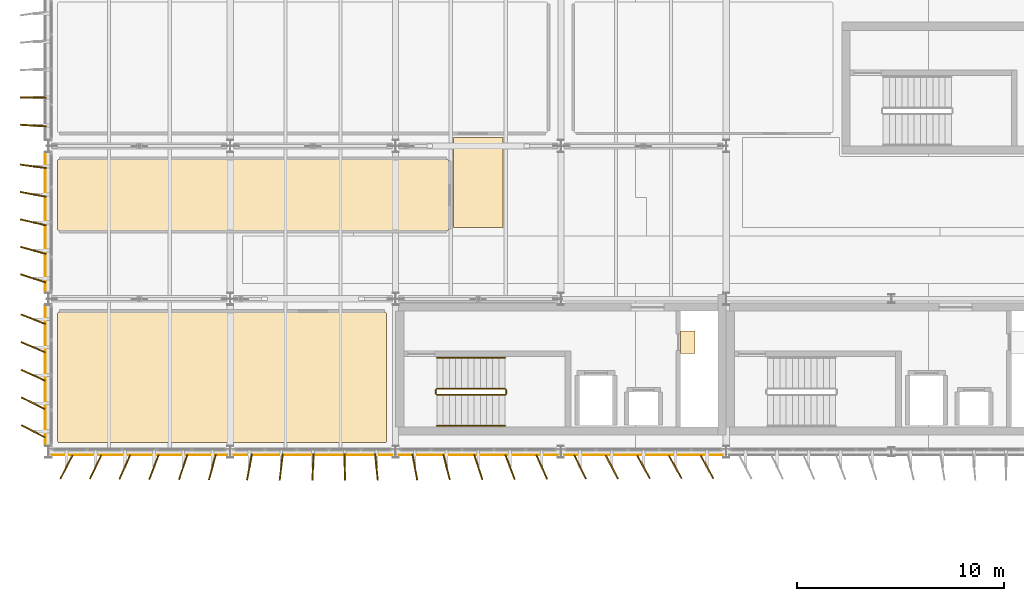
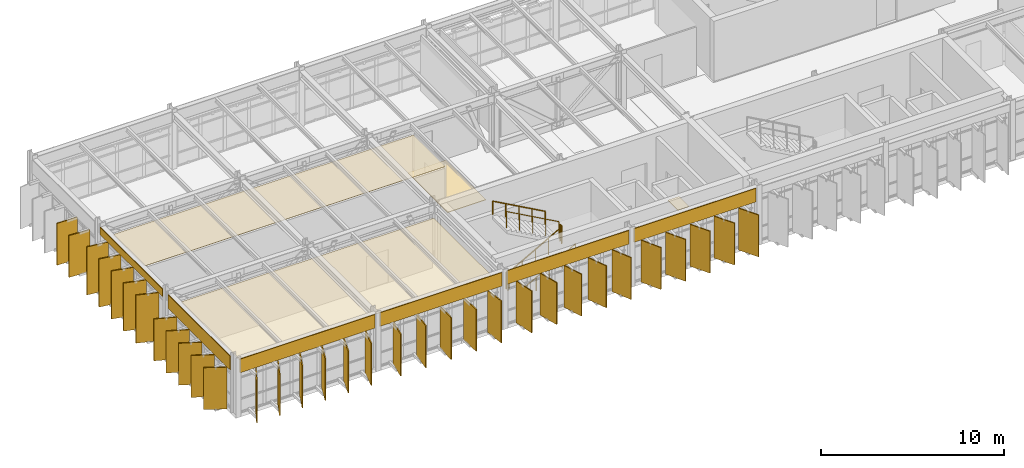
# One storey, part 46 of 56: 43 coverings, 6 railings.
"""IFC4 building model written with IfcOpenShell, lengths in metres."""

from ifc_helpers import new_model, si_unit, direction, frame, frame_2d, origin, origin_2d, place, context, subcontext, project, spatial, polyline, rectangle, circle, outline, extrude, material, layer, layer_set, type_object, element, save


model = new_model("IFC4")

# Units and contexts
model_context = context("Model", 3, precision=1e-05, world=origin(), true_north=direction((0.0, 1.0)))
body_context = subcontext(model_context, "Body", "Model", "MODEL_VIEW")
ifc_project = project(units=[si_unit("LENGTHUNIT", "METRE"), si_unit("AREAUNIT", "SQUARE_METRE"), si_unit("VOLUMEUNIT", "CUBIC_METRE"), si_unit("PLANEANGLEUNIT", "RADIAN"), si_unit("MASSUNIT", "GRAM", prefix="KILO")], contexts=[model_context])

# Site, building, storey
site_placement = place(None, origin())
site = spatial("IfcSite", under=ifc_project, at=site_placement, CompositionType="ELEMENT")
building_placement = place(site_placement, origin())
building = spatial("IfcBuilding", under=site, at=building_placement, Name="Valkorina Park Police Headquarters", CompositionType="ELEMENT")
storey_placement = place(building_placement, frame((0.0, 0.0, 14.10009765625)))
storey = spatial("IfcBuildingStorey", under=building, at=storey_placement, Name="L04", CompositionType="ELEMENT", Elevation=14.10009765625)

# Coverings
ifc_material_1 = material(Name="Acoustic mineral board")
ifc_layer_1 = layer(ifc_material_1, 0.02490234375)
ifc_layer_set_1 = layer_set([ifc_layer_1], Name="Acoustic mineral board")
covering_type_1 = type_object("IfcCoveringType", Name="COV-CEILING-ACOUST", PredefinedType="CEILING", material=ifc_layer_set_1)
covering_1_placement = place(storey_placement, frame((0.0, 0.0, 3.239990234375)))
element("IfcCovering", 1, at=covering_1_placement, inside=storey, type_object=covering_type_1, Name="Cantilever West South Briefing Suite Acoustic Suspended Ceiling", PredefinedType="CEILING", context=body_context, shape_type="SweptSolid", body=[
    extrude(outline(polyline([(16.3583984375, 37.50439453125), (16.359619140625, 37.51220703125), (16.360107421875, 37.52001953125), (16.360107421875, 43.679931640625), (16.359619140625, 43.687744140625), (16.3583984375, 43.695556640625), (16.356689453125, 43.703125), (16.35400390625, 43.710693359375), (16.3505859375, 43.7177734375), (16.346435546875, 43.724365234375), (16.341796875, 43.730712890625), (16.336669921875, 43.736572265625), (16.330810546875, 43.74169921875), (16.324462890625, 43.74658203125), (16.317626953125, 43.75048828125), (16.310546875, 43.75390625), (16.30322265625, 43.756591796875), (16.295654296875, 43.758544921875), (16.287841796875, 43.759521484375), (16.280029296875, 43.760009765625), (0.52001953125, 43.760009765625), (0.51220703125, 43.759521484375), (0.50439453125, 43.758544921875), (0.496826171875, 43.756591796875), (0.489501953125, 43.75390625), (0.482421875, 43.75048828125), (0.4755859375, 43.74658203125), (0.46923828125, 43.74169921875), (0.46337890625, 43.736572265625), (0.458251953125, 43.730712890625), (0.45361328125, 43.724365234375), (0.449462890625, 43.7177734375), (0.446044921875, 43.710693359375), (0.443359375, 43.703125), (0.44140625, 43.695556640625), (0.4404296875, 43.687744140625), (0.43994140625, 43.679931640625), (0.43994140625, 37.52001953125), (0.4404296875, 37.51220703125), (0.44140625, 37.50439453125), (0.443359375, 37.496826171875), (0.446044921875, 37.489501953125), (0.449462890625, 37.482421875), (0.45361328125, 37.4755859375), (0.458251953125, 37.46923828125), (0.46337890625, 37.46337890625), (0.46923828125, 37.458251953125), (0.4755859375, 37.45361328125), (0.482421875, 37.449462890625), (0.489501953125, 37.446044921875), (0.496826171875, 37.443359375), (0.50439453125, 37.44140625), (0.51220703125, 37.4404296875), (0.52001953125, 37.43994140625), (16.280029296875, 37.43994140625), (16.287841796875, 37.4404296875), (16.295654296875, 37.44140625), (16.30322265625, 37.443359375), (16.310546875, 37.446044921875), (16.317626953125, 37.449462890625), (16.324462890625, 37.45361328125), (16.330810546875, 37.458251953125), (16.336669921875, 37.46337890625), (16.341796875, 37.46923828125), (16.346435546875, 37.4755859375), (16.3505859375, 37.482421875), (16.35400390625, 37.489501953125), (16.356689453125, 37.496826171875), (16.3583984375, 37.50439453125)])), origin(), (0.0, 0.0, 1.0), 0.02490234375),
])
covering_2_placement = place(storey_placement, frame((0.0, 0.0, 3.239990234375)))
element("IfcCovering", 2, at=covering_2_placement, inside=storey, type_object=covering_type_1, Name="Cantilever West Central Operations Office Acoustic Suspended Ceiling", PredefinedType="CEILING", context=body_context, shape_type="SweptSolid", body=[
    extrude(outline(polyline([(19.3583984375, 47.75439453125), (19.359619140625, 47.76220703125), (19.360107421875, 47.77001953125), (19.360107421875, 51.080078125), (19.359619140625, 51.087890625), (19.3583984375, 51.095703125), (19.356689453125, 51.103271484375), (19.35400390625, 51.110595703125), (19.3505859375, 51.11767578125), (19.346435546875, 51.12451171875), (19.341796875, 51.130859375), (19.336669921875, 51.13671875), (19.330810546875, 51.141845703125), (19.324462890625, 51.146484375), (19.317626953125, 51.150634765625), (19.310546875, 51.15380859375), (19.30322265625, 51.156494140625), (19.295654296875, 51.158447265625), (19.287841796875, 51.15966796875), (19.280029296875, 51.159912109375), (0.52001953125, 51.159912109375), (0.51220703125, 51.15966796875), (0.50439453125, 51.158447265625), (0.496826171875, 51.156494140625), (0.489501953125, 51.15380859375), (0.482421875, 51.150634765625), (0.4755859375, 51.146484375), (0.46923828125, 51.141845703125), (0.46337890625, 51.13671875), (0.458251953125, 51.130859375), (0.45361328125, 51.12451171875), (0.449462890625, 51.11767578125), (0.446044921875, 51.110595703125), (0.443359375, 51.103271484375), (0.44140625, 51.095703125), (0.4404296875, 51.087890625), (0.43994140625, 51.080078125), (0.43994140625, 47.77001953125), (0.4404296875, 47.76220703125), (0.44140625, 47.75439453125), (0.443359375, 47.746826171875), (0.446044921875, 47.739501953125), (0.449462890625, 47.732421875), (0.45361328125, 47.7255859375), (0.458251953125, 47.71923828125), (0.46337890625, 47.71337890625), (0.46923828125, 47.708251953125), (0.4755859375, 47.70361328125), (0.482421875, 47.699462890625), (0.489501953125, 47.696044921875), (0.496826171875, 47.693359375), (0.50439453125, 47.69140625), (0.51220703125, 47.6904296875), (0.52001953125, 47.68994140625), (19.280029296875, 47.68994140625), (19.287841796875, 47.6904296875), (19.295654296875, 47.69140625), (19.30322265625, 47.693359375), (19.310546875, 47.696044921875), (19.317626953125, 47.699462890625), (19.324462890625, 47.70361328125), (19.330810546875, 47.708251953125), (19.336669921875, 47.71337890625), (19.341796875, 47.71923828125), (19.346435546875, 47.7255859375), (19.3505859375, 47.732421875), (19.35400390625, 47.739501953125), (19.356689453125, 47.746826171875), (19.3583984375, 47.75439453125)])), origin(), (0.0, 0.0, 1.0), 0.02490234375),
])
ifc_material_2 = material(Name="Precast concrete C40/50", Category="concrete")
ifc_layer_2 = layer(ifc_material_2, 0.044921875)
ifc_layer_set_2 = layer_set([ifc_layer_2], Name="Precast concrete C40/50")
covering_type_2 = type_object("IfcCoveringType", Name="COV-CLAD-DOLOMITE", PredefinedType="CLADDING", material=ifc_layer_set_2)
for number, where, z_axis, x_axis, name in (
    (3, (32.639892578125, 36.840087890625, 2.844970703125), (0.0, 0.0, 1.0), (-1.0, 0.0, 0.0), "L04 Spandrel Beam Insulated Fascia 2389"),
    (4, (24.639892578125, 36.840087890625, 2.844970703125), (0.0, 0.0, 1.0), (-1.0, 0.0, 0.0), "L04 Spandrel Beam Insulated Fascia 2390"),
    (5, (16.639892578125, 36.840087890625, 2.844970703125), (0.0, 0.0, 1.0), (-1.0, 0.0, 0.0), "L04 Spandrel Beam Insulated Fascia 2391"),
):
    element("IfcCovering", number, at=place(storey_placement, frame(where, z_axis=z_axis, x_axis=x_axis)), inside=storey, type_object=covering_type_2, Name=name, PredefinedType="CLADDING", context=body_context, shape_type="SweptSolid", body=[
        extrude(rectangle(XDim=7.679931640625, YDim=0.044921875, at=frame_2d((3.83984375, 0.0))), origin(), (0.0, 0.0, 1.0), 0.909912109375),
    ])
covering_3_placement = place(storey_placement, frame((8.639892578125, 36.840087890625, 2.844970703125), z_axis=(0.0, 0.0, 1.0), x_axis=(-1.0, 0.0, 0.0)))
element("IfcCovering", 6, at=covering_3_placement, inside=storey, type_object=covering_type_2, Name="L04 Spandrel Beam Insulated Fascia 2392", PredefinedType="CLADDING", context=body_context, shape_type="SweptSolid", body=[
    extrude(rectangle(XDim=8.47998046875, YDim=0.044921875, at=frame_2d((4.239990234375, 0.0))), origin(), (0.0, 0.0, 1.0), 0.909912109375),
])
covering_4_placement = place(storey_placement, frame((-0.159912109375, 37.31005859375, 2.844970703125), z_axis=(0.0, 0.0, 1.0), x_axis=(0.0, 1.0, 0.0)))
element("IfcCovering", 7, at=covering_4_placement, inside=storey, type_object=covering_type_2, Name="L04 Spandrel Beam Insulated Fascia 2393", PredefinedType="CLADDING", context=body_context, shape_type="SweptSolid", body=[
    extrude(rectangle(XDim=6.780029296875, YDim=0.044921875, at=frame_2d((3.39013671875, 0.0))), origin(), (0.0, 0.0, 1.0), 0.909912109375),
])
covering_5_placement = place(storey_placement, frame((-0.159912109375, 44.7099609375, 3.2548828125), z_axis=(0.0, 0.0, 1.0), x_axis=(0.0, 1.0, 0.0)))
element("IfcCovering", 8, at=covering_5_placement, inside=storey, type_object=covering_type_2, Name="L04 Spandrel Beam Insulated Fascia 2394", PredefinedType="CLADDING", context=body_context, shape_type="SweptSolid", body=[
    extrude(rectangle(XDim=6.780029296875, YDim=0.044921875, at=frame_2d((3.39013671875, 0.0))), origin(), (0.0, 0.0, 1.0), 0.5),
])
ifc_material_3 = material(Name="Resin terrazzo flooring")
ifc_layer_3 = layer(ifc_material_3, 0.030029296875)
ifc_layer_set_3 = layer_set([ifc_layer_3], Name="Resin terrazzo flooring")
covering_type_3 = type_object("IfcCoveringType", Name="COV-FLOOR-TERRAZZO", PredefinedType="FLOORING", material=ifc_layer_set_3)
covering_6_placement = place(storey_placement, origin())
element("IfcCovering", 9, at=covering_6_placement, inside=storey, type_object=covering_type_3, Name="Core C1 L04 Riser Inspection Threshold Grate", PredefinedType="FLOORING", context=body_context, shape_type="SweptSolid", body=[
    extrude(outline(polyline([(31.280029296875, 41.75), (31.280029296875, 42.85009765625), (30.580078125, 42.85009765625), (30.580078125, 41.75), (31.280029296875, 41.75)])), origin(), (0.0, 0.0, 1.0), 0.02978515625),
])
covering_7_placement = place(storey_placement, origin())
element("IfcCovering", 10, at=covering_7_placement, inside=storey, type_object=covering_type_3, Name="L04 North Portal Vestibule Corridor Terrazzo Flooring", PredefinedType="FLOORING", context=body_context, shape_type="SweptSolid", body=[
    extrude(outline(polyline([(22.0, 52.199951171875), (19.60009765625, 52.199951171875), (19.60009765625, 47.85009765625), (22.0, 47.85009765625), (22.0, 52.199951171875)])), origin(), (0.0, 0.0, 1.0), 0.02978515625),
])

# Railings
ifc_material_4 = material(Name="Stainless steel EN 1.4404", Category="steel")
railing_type_1 = type_object("IfcRailingType", Name="RL-GUARD-INT-1100", PredefinedType="BALUSTRADE", material=ifc_material_4)
railing_1_placement = place(storey_placement, frame((18.800048828125, 39.75, 0.16650390625)))
element("IfcRailing", 11, at=railing_1_placement, inside=storey, type_object=railing_type_1, Name="L04 Core C1 Stair Guard 1", PredefinedType="BALUSTRADE", context=body_context, shape_type="SweptSolid", body=[
    extrude(circle(Radius=0.02392578125, at=origin_2d()), frame((0.0, 0.0, 1.09619140625), z_axis=(0.874142023373, 0.0, 0.48567038511), x_axis=(0.0, 1.0, 0.0)), (0.0, 0.0, 1.0), 3.775146484375),
    extrude(circle(Radius=0.02099609375, at=origin_2d()), origin(), (0.0, 0.0, 1.0), 1.072021484375),
    extrude(circle(Radius=0.02099609375, at=origin_2d()), frame((0.824951171875, 0.0, 0.45849609375)), (0.0, 0.0, 1.0), 1.072021484375),
    extrude(circle(Radius=0.02099609375, at=origin_2d()), frame((1.64990234375, 0.0, 0.916748046875)), (0.0, 0.0, 1.0), 1.072021484375),
    extrude(circle(Radius=0.02099609375, at=origin_2d()), frame((2.47509765625, 0.0, 1.375)), (0.0, 0.0, 1.0), 1.072021484375),
    extrude(circle(Radius=0.02099609375, at=origin_2d()), frame((3.300048828125, 0.0, 1.83349609375)), (0.0, 0.0, 1.0), 1.072021484375),
])
railing_2_placement = place(storey_placement, frame((22.14990234375, 39.800048828125, 2.0)))
element("IfcRailing", 12, at=railing_2_placement, inside=storey, type_object=railing_type_1, Name="L04 Core C1 Stair Guard 2", PredefinedType="BALUSTRADE", context=body_context, shape_type="SweptSolid", body=[
    extrude(circle(Radius=0.02392578125, at=origin_2d()), frame((0.0, 0.0, 1.09619140625), z_axis=(0.0, 1.0, 0.0), x_axis=(-1.0, 0.0, 0.0)), (0.0, 0.0, 1.0), 0.199951171875),
    extrude(circle(Radius=0.02099609375, at=origin_2d()), origin(), (0.0, 0.0, 1.0), 1.072021484375),
    extrude(circle(Radius=0.02099609375, at=origin_2d()), frame((0.0, 0.199951171875, 0.0)), (0.0, 0.0, 1.0), 1.072021484375),
])
railing_3_placement = place(storey_placement, frame((22.10009765625, 40.050048828125, 2.16650390625)))
element("IfcRailing", 13, at=railing_3_placement, inside=storey, type_object=railing_type_1, Name="L04 Core C1 Stair Guard 3", PredefinedType="BALUSTRADE", context=body_context, shape_type="SweptSolid", body=[
    extrude(circle(Radius=0.02392578125, at=origin_2d()), frame((0.0, 0.0, 1.09619140625), z_axis=(-0.874142023373, 0.0, 0.48567038511), x_axis=(0.0, -1.0, 0.0)), (0.0, 0.0, 1.0), 3.775146484375),
    extrude(circle(Radius=0.02099609375, at=origin_2d()), origin(), (0.0, 0.0, 1.0), 1.072021484375),
    extrude(circle(Radius=0.02099609375, at=origin_2d()), frame((-0.824951171875, 0.0, 0.45849609375)), (0.0, 0.0, 1.0), 1.072021484375),
    extrude(circle(Radius=0.02099609375, at=origin_2d()), frame((-1.64990234375, 0.0, 0.916748046875)), (0.0, 0.0, 1.0), 1.072021484375),
    extrude(circle(Radius=0.02099609375, at=origin_2d()), frame((-2.47509765625, 0.0, 1.375)), (0.0, 0.0, 1.0), 1.072021484375),
    extrude(circle(Radius=0.02099609375, at=origin_2d()), frame((-3.300048828125, 0.0, 1.83349609375)), (0.0, 0.0, 1.0), 1.072021484375),
])
railing_4_placement = place(storey_placement, frame((18.75, 39.800048828125, 0.0)))
element("IfcRailing", 14, at=railing_4_placement, inside=storey, type_object=railing_type_1, Name="L04 Core C1 Stair Guard 4", PredefinedType="BALUSTRADE", context=body_context, shape_type="SweptSolid", body=[
    extrude(circle(Radius=0.02392578125, at=origin_2d()), frame((0.0, 0.0, 1.09619140625), z_axis=(0.0, 1.0, 0.0), x_axis=(-1.0, 0.0, 0.0)), (0.0, 0.0, 1.0), 0.199951171875),
    extrude(circle(Radius=0.02099609375, at=origin_2d()), origin(), (0.0, 0.0, 1.0), 1.072021484375),
    extrude(circle(Radius=0.02099609375, at=origin_2d()), frame((0.0, 0.199951171875, 0.0)), (0.0, 0.0, 1.0), 1.072021484375),
])
railing_type_2 = type_object("IfcRailingType", Name="RL-HANDRAIL-900", PredefinedType="HANDRAIL", material=ifc_material_4)
railing_5_placement = place(storey_placement, frame((18.800048828125, 38.25, 0.16650390625)))
element("IfcRailing", 15, at=railing_5_placement, inside=storey, type_object=railing_type_2, Name="L04 Core C1 Stair Handrail 1", PredefinedType="HANDRAIL", context=body_context, shape_type="SweptSolid", body=[
    extrude(circle(Radius=0.02392578125, at=origin_2d()), frame((0.0, 0.0, 0.8759765625), z_axis=(0.874142023373, 0.0, 0.48567038511), x_axis=(0.0, 1.0, 0.0)), (0.0, 0.0, 1.0), 3.775146484375),
    extrude(circle(Radius=0.02099609375, at=origin_2d()), origin(), (0.0, 0.0, 1.0), 0.851806640625),
    extrude(circle(Radius=0.02099609375, at=origin_2d()), frame((0.824951171875, 0.0, 0.45849609375)), (0.0, 0.0, 1.0), 0.851806640625),
    extrude(circle(Radius=0.02099609375, at=origin_2d()), frame((1.64990234375, 0.0, 0.916748046875)), (0.0, 0.0, 1.0), 0.851806640625),
    extrude(circle(Radius=0.02099609375, at=origin_2d()), frame((2.47509765625, 0.0, 1.375)), (0.0, 0.0, 1.0), 0.851806640625),
    extrude(circle(Radius=0.02099609375, at=origin_2d()), frame((3.300048828125, 0.0, 1.83349609375)), (0.0, 0.0, 1.0), 0.851806640625),
])
railing_6_placement = place(storey_placement, frame((22.10009765625, 41.550048828125, 2.16650390625)))
element("IfcRailing", 16, at=railing_6_placement, inside=storey, type_object=railing_type_2, Name="L04 Core C1 Stair Handrail 2", PredefinedType="HANDRAIL", context=body_context, shape_type="SweptSolid", body=[
    extrude(circle(Radius=0.02392578125, at=origin_2d()), frame((0.0, 0.0, 0.8759765625), z_axis=(-0.874142023373, 0.0, 0.48567038511), x_axis=(0.0, -1.0, 0.0)), (0.0, 0.0, 1.0), 3.775146484375),
    extrude(circle(Radius=0.02099609375, at=origin_2d()), origin(), (0.0, 0.0, 1.0), 0.851806640625),
    extrude(circle(Radius=0.02099609375, at=origin_2d()), frame((-0.824951171875, 0.0, 0.45849609375)), (0.0, 0.0, 1.0), 0.851806640625),
    extrude(circle(Radius=0.02099609375, at=origin_2d()), frame((-1.64990234375, 0.0, 0.916748046875)), (0.0, 0.0, 1.0), 0.851806640625),
    extrude(circle(Radius=0.02099609375, at=origin_2d()), frame((-2.47509765625, 0.0, 1.375)), (0.0, 0.0, 1.0), 0.851806640625),
    extrude(circle(Radius=0.02099609375, at=origin_2d()), frame((-3.300048828125, 0.0, 1.83349609375)), (0.0, 0.0, 1.0), 0.851806640625),
])

# Coverings
ifc_material_5 = material(Name="Polychrome anodized aluminium - Baltic Amber", Category="aluminium")
ifc_layer_4 = layer(ifc_material_5, 0.06494140625)
ifc_layer_set_4 = layer_set([ifc_layer_4], Name="Polychrome anodized aluminium - Baltic Amber")
covering_type_4 = type_object("IfcCoveringType", Name="SHD-LOUVRE-AMBER", PredefinedType="CLADDING", material=ifc_layer_set_4)
for number, where, z_axis, x_axis, name in (
    (17, (28.800048828125, 36.260009765625, 0.0400390625), (0.0, 0.0, 1.0), (0.480223497443, -0.877146163706, 0.0), "V5 Polychrome Pivoting Louvre 0124"),
    (18, (22.3359375, 36.260009765625, 0.0400390625), (0.0, 0.0, 1.0), (0.359671123975, -0.933079140576, 0.0), "V5 Polychrome Pivoting Louvre 0128"),
    (19, (15.8720703125, 36.260009765625, 0.0400390625), (0.0, 0.0, 1.0), (0.100188061612, -0.994968518251, 0.0), "V5 Polychrome Pivoting Louvre 0132"),
    (20, (9.72802734375, 36.260009765625, 0.0400390625), (0.0, 0.0, 1.0), (-0.188581264713, -0.98205758823, 0.0), "V5 Polychrome Pivoting Louvre 0136"),
    (21, (3.693359375, 36.260009765625, 0.0400390625), (0.0, 0.0, 1.0), (-0.402107583804, -0.915592426272, 0.0), "V5 Polychrome Pivoting Louvre 0140"),
    (22, (-0.739990234375, 40.699951171875, 0.0400390625), (0.0, 0.0, 1.0), (-0.907264343782, 0.420560828539, 0.0), "V5 Polychrome Pivoting Louvre 0145"),
):
    element("IfcCovering", number, at=place(storey_placement, frame(where, z_axis=z_axis, x_axis=x_axis)), inside=storey, type_object=covering_type_4, Name=name, PredefinedType="CLADDING", context=body_context, shape_type="SweptSolid", body=[
        extrude(rectangle(XDim=1.280029296875, YDim=0.06494140625, at=origin_2d()), origin(), (0.0, 0.0, 1.0), 2.784912109375),
    ])
covering_8_placement = place(storey_placement, frame((-0.739990234375, 46.743896484375, 0.0400390625), z_axis=(0.0, 0.0, 1.0), x_axis=(-0.962075296033, 0.272784025857, 0.0)))
element("IfcCovering", 23, at=covering_8_placement, inside=storey, type_object=covering_type_4, Name="V5 Polychrome Pivoting Louvre 0149", PredefinedType="CLADDING", context=body_context, shape_type="SweptSolid", body=[
    extrude(rectangle(XDim=1.280029296875, YDim=0.06494140625, at=origin_2d()), origin(), (0.0, 0.0, 1.0), 3.195068359375),
])
covering_9_placement = place(storey_placement, frame((-0.739990234375, 52.7880859375, 0.0400390625), z_axis=(0.0, 0.0, 1.0), x_axis=(-0.99803767224, 0.06261633005, 0.0)))
element("IfcCovering", 24, at=covering_9_placement, inside=storey, type_object=covering_type_4, Name="V5 Polychrome Pivoting Louvre 0153", PredefinedType="CLADDING", context=body_context, shape_type="SweptSolid", body=[
    extrude(rectangle(XDim=1.280029296875, YDim=0.06494140625, at=origin_2d()), origin(), (0.0, 0.0, 1.0), 2.784912109375),
])
ifc_material_6 = material(Name="Polychrome anodized aluminium - Riga Ochre", Category="aluminium")
ifc_layer_5 = layer(ifc_material_6, 0.06494140625)
ifc_layer_set_5 = layer_set([ifc_layer_5], Name="Polychrome anodized aluminium - Riga Ochre")
covering_type_5 = type_object("IfcCoveringType", Name="SHD-LOUVRE-OCHRE", PredefinedType="CLADDING", material=ifc_layer_set_5)
for number, where, z_axis, x_axis, name in (
    (25, (31.8720703125, 36.260009765625, 0.0400390625), (0.0, 0.0, 1.0), (0.479917286421, -0.877313739887, 0.0), "V5 Polychrome Pivoting Louvre 0122"),
    (26, (25.72802734375, 36.260009765625, 0.0400390625), (0.0, 0.0, 1.0), (0.443071190824, -0.896486430383, 0.0), "V5 Polychrome Pivoting Louvre 0126"),
    (27, (19.263916015625, 36.260009765625, 0.0400390625), (0.0, 0.0, 1.0), (0.249704048534, -0.96832220265, 0.0), "V5 Polychrome Pivoting Louvre 0130"),
    (28, (12.800048828125, 36.260009765625, 0.0400390625), (0.0, 0.0, 1.0), (-0.046583426761, -0.998914402915, 0.0), "V5 Polychrome Pivoting Louvre 0134"),
    (29, (6.52001953125, 36.260009765625, 0.0400390625), (0.0, 0.0, 1.0), (-0.316145823974, -0.948710608133, 0.0), "V5 Polychrome Pivoting Louvre 0138"),
    (30, (0.86669921875, 36.260009765625, 0.0400390625), (0.0, 0.0, 1.0), (-0.458494454534, -0.888697268569, 0.0), "V5 Polychrome Pivoting Louvre 0142"),
    (31, (-0.739990234375, 37.988037109375, 0.0400390625), (0.0, 0.0, 1.0), (-0.888056223469, 0.459734862673, 0.0), "V5 Polychrome Pivoting Louvre 0143"),
    (32, (-0.739990234375, 43.412109375, 0.0400390625), (0.0, 0.0, 1.0), (-0.931373876365, 0.364064146031, 0.0), "V5 Polychrome Pivoting Louvre 0147"),
):
    element("IfcCovering", number, at=place(storey_placement, frame(where, z_axis=z_axis, x_axis=x_axis)), inside=storey, type_object=covering_type_5, Name=name, PredefinedType="CLADDING", context=body_context, shape_type="SweptSolid", body=[
        extrude(rectangle(XDim=1.280029296875, YDim=0.06494140625, at=origin_2d()), origin(), (0.0, 0.0, 1.0), 2.784912109375),
    ])
covering_10_placement = place(storey_placement, frame((-0.739990234375, 49.4560546875, 0.0400390625), z_axis=(0.0, 0.0, 1.0), x_axis=(-0.982967439746, 0.18377979323, 0.0)))
element("IfcCovering", 33, at=covering_10_placement, inside=storey, type_object=covering_type_5, Name="V5 Polychrome Pivoting Louvre 0151", PredefinedType="CLADDING", context=body_context, shape_type="SweptSolid", body=[
    extrude(rectangle(XDim=1.280029296875, YDim=0.06494140625, at=origin_2d()), origin(), (0.0, 0.0, 1.0), 3.195068359375),
])
ifc_material_7 = material(Name="Polychrome anodized aluminium - Courland Slate Blue", Category="masonry")
ifc_layer_6 = layer(ifc_material_7, 0.06494140625)
ifc_layer_set_6 = layer_set([ifc_layer_6], Name="Polychrome anodized aluminium - Courland Slate Blue")
covering_type_6 = type_object("IfcCoveringType", Name="SHD-LOUVRE-SLATE", PredefinedType="CLADDING", material=ifc_layer_set_6)
for number, where, z_axis, x_axis, name in (
    (34, (30.3359375, 36.260009765625, 0.0400390625), (0.0, 0.0, 1.0), (0.484809620246, -0.874619707139, 0.0), "V5 Polychrome Pivoting Louvre 0123"),
    (35, (23.8720703125, 36.260009765625, 0.0400390625), (0.0, 0.0, 1.0), (0.402746689859, -0.915311479119, 0.0), "V5 Polychrome Pivoting Louvre 0127"),
    (36, (17.72802734375, 36.260009765625, 0.0400390625), (0.0, 0.0, 1.0), (0.184809053369, -0.982774447059, 0.0), "V5 Polychrome Pivoting Louvre 0131"),
    (37, (11.263916015625, 36.260009765625, 0.0400390625), (0.0, 0.0, 1.0), (-0.119097160095, -0.99288260457, 0.0), "V5 Polychrome Pivoting Louvre 0135"),
    (38, (5.106689453125, 36.260009765625, 0.0400390625), (0.0, 0.0, 1.0), (-0.362600698822, -0.931944597717, 0.0), "V5 Polychrome Pivoting Louvre 0139"),
    (39, (-0.739990234375, 39.343994140625, 0.0400390625), (0.0, 0.0, 1.0), (-0.896795533934, 0.442445217305, 0.0), "V5 Polychrome Pivoting Louvre 0144"),
):
    element("IfcCovering", number, at=place(storey_placement, frame(where, z_axis=z_axis, x_axis=x_axis)), inside=storey, type_object=covering_type_6, Name=name, PredefinedType="CLADDING", context=body_context, shape_type="SweptSolid", body=[
        extrude(rectangle(XDim=1.280029296875, YDim=0.06494140625, at=origin_2d()), origin(), (0.0, 0.0, 1.0), 2.784912109375),
    ])
for number, where, z_axis, x_axis, name in (
    (40, (-0.739990234375, 45.387939453125, 0.0400390625), (0.0, 0.0, 1.0), (-0.949917524329, 0.312500715155, 0.0), "V5 Polychrome Pivoting Louvre 0148"),
    (41, (-0.739990234375, 50.81201171875, 0.0400390625), (0.0, 0.0, 1.0), (-0.990747840471, 0.135715572434, 0.0), "V5 Polychrome Pivoting Louvre 0152"),
):
    element("IfcCovering", number, at=place(storey_placement, frame(where, z_axis=z_axis, x_axis=x_axis)), inside=storey, type_object=covering_type_6, Name=name, PredefinedType="CLADDING", context=body_context, shape_type="SweptSolid", body=[
        extrude(rectangle(XDim=1.280029296875, YDim=0.06494140625, at=origin_2d()), origin(), (0.0, 0.0, 1.0), 3.195068359375),
    ])
ifc_material_8 = material(Name="Polychrome anodized aluminium - Pine Verdigris", Category="aluminium")
ifc_layer_7 = layer(ifc_material_8, 0.06494140625)
ifc_layer_set_7 = layer_set([ifc_layer_7], Name="Polychrome anodized aluminium - Pine Verdigris")
covering_type_7 = type_object("IfcCoveringType", Name="SHD-LOUVRE-VERDIGRIS", PredefinedType="CLADDING", material=ifc_layer_set_7)
for number, where, z_axis, x_axis, name in (
    (42, (27.263916015625, 36.260009765625, 0.0400390625), (0.0, 0.0, 1.0), (0.46638664034, -0.884580975215, 0.0), "V5 Polychrome Pivoting Louvre 0125"),
    (43, (20.800048828125, 36.260009765625, 0.0400390625), (0.0, 0.0, 1.0), (0.30835295642, -0.951272019071, 0.0), "V5 Polychrome Pivoting Louvre 0129"),
    (44, (14.3359375, 36.260009765625, 0.0400390625), (0.0, 0.0, 1.0), (0.027223772466, -0.999629364421, 0.0), "V5 Polychrome Pivoting Louvre 0133"),
    (45, (7.933349609375, 36.260009765625, 0.0400390625), (0.0, 0.0, 1.0), (-0.263367972734, -0.964695449838, 0.0), "V5 Polychrome Pivoting Louvre 0137"),
    (46, (2.280029296875, 36.260009765625, 0.0400390625), (0.0, 0.0, 1.0), (-0.434130827946, -0.900849834449, 0.0), "V5 Polychrome Pivoting Louvre 0141"),
    (47, (-0.739990234375, 42.055908203125, 0.0400390625), (0.0, 0.0, 1.0), (-0.91892894577, 0.394423113706, 0.0), "V5 Polychrome Pivoting Louvre 0146"),
):
    element("IfcCovering", number, at=place(storey_placement, frame(where, z_axis=z_axis, x_axis=x_axis)), inside=storey, type_object=covering_type_7, Name=name, PredefinedType="CLADDING", context=body_context, shape_type="SweptSolid", body=[
        extrude(rectangle(XDim=1.280029296875, YDim=0.06494140625, at=origin_2d()), origin(), (0.0, 0.0, 1.0), 2.784912109375),
    ])
covering_11_placement = place(storey_placement, frame((-0.739990234375, 48.10009765625, 0.0400390625), z_axis=(0.0, 0.0, 1.0), x_axis=(-0.973259115993, 0.229710019669, 0.0)))
element("IfcCovering", 48, at=covering_11_placement, inside=storey, type_object=covering_type_7, Name="V5 Polychrome Pivoting Louvre 0150", PredefinedType="CLADDING", context=body_context, shape_type="SweptSolid", body=[
    extrude(rectangle(XDim=1.280029296875, YDim=0.06494140625, at=origin_2d()), origin(), (0.0, 0.0, 1.0), 3.195068359375),
])
covering_12_placement = place(storey_placement, frame((-0.739990234375, 54.14404296875, 0.0400390625), z_axis=(0.0, 0.0, 1.0), x_axis=(-0.99993565026, 0.011344396795, 0.0)))
element("IfcCovering", 49, at=covering_12_placement, inside=storey, type_object=covering_type_7, Name="V5 Polychrome Pivoting Louvre 0154", PredefinedType="CLADDING", context=body_context, shape_type="SweptSolid", body=[
    extrude(rectangle(XDim=1.280029296875, YDim=0.06494140625, at=origin_2d()), origin(), (0.0, 0.0, 1.0), 2.784912109375),
])

save(model, "model.ifc")
